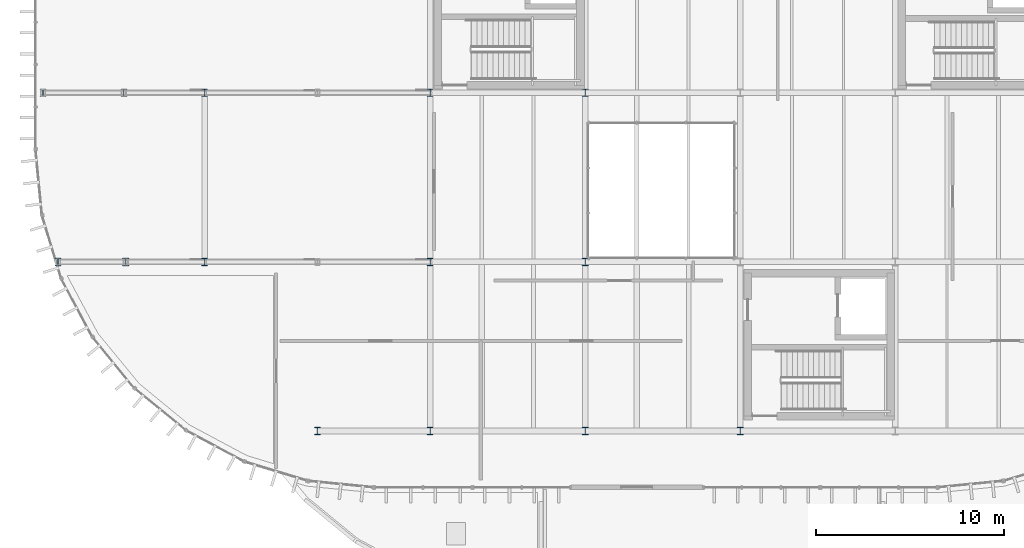
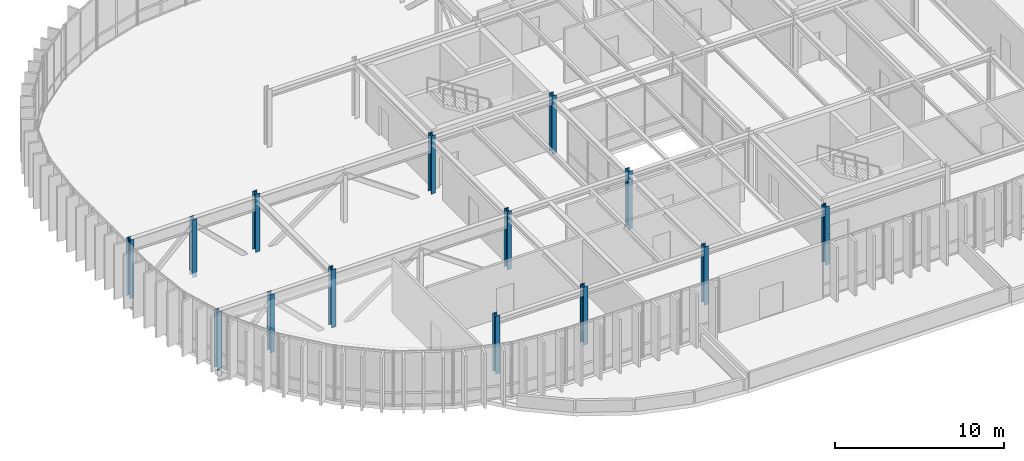
# One storey, part 1 of 29: 14 columns.
"""IFC4 building model written with IfcOpenShell, lengths in metres."""

from ifc_helpers import new_model, si_unit, direction, frame, origin, origin_2d, place, context, subcontext, project, spatial, i_section, extrude, material, material_profile, profile_set, type_object, element, save


model = new_model("IFC4")

# Units and contexts
model_context = context("Model", 3, precision=1e-05, world=origin(), true_north=direction((0.0, 1.0)))
body_context = subcontext(model_context, "Body", "Model", "MODEL_VIEW")
ifc_project = project(units=[si_unit("LENGTHUNIT", "METRE"), si_unit("AREAUNIT", "SQUARE_METRE"), si_unit("VOLUMEUNIT", "CUBIC_METRE"), si_unit("PLANEANGLEUNIT", "RADIAN"), si_unit("MASSUNIT", "GRAM", prefix="KILO")], contexts=[model_context])

# Site, building, storey
site_placement = place(None, origin())
site = spatial("IfcSite", under=ifc_project, at=site_placement, CompositionType="ELEMENT")
building_placement = place(site_placement, origin())
building = spatial("IfcBuilding", under=site, at=building_placement, Name="Montealbar Specialist Clinic", CompositionType="ELEMENT")
storey_placement = place(building_placement, frame((0.0, 0.0, 22.199951171875)))
storey = spatial("IfcBuildingStorey", under=building, at=storey_placement, Name="L05", CompositionType="ELEMENT", Elevation=22.199951171875)

# Columns
ifc_material = material(Name="Steel S355", Category="steel")
ifc_material_profile_1 = material_profile(ifc_material, i_section(OverallWidth=0.300048828125, OverallDepth=0.389892578125, WebThickness=0.010986328125, FlangeThickness=0.01904296875, FilletRadius=0.027099609375, at=origin_2d()), Name="HEA 400", Category="steel")
ifc_profile_set_1 = profile_set([ifc_material_profile_1], Name="Steel S355")
column_type_1 = type_object("IfcColumnType", Name="COL-S-L05-STD", PredefinedType="COLUMN", material=ifc_profile_set_1)
for number, where, z_axis, x_axis, name in (
    (1, (49.699951171875, 27.0, -0.33984375), (0.0, 0.0, 1.0), (1.0, 0.0, 0.0), "Column 6A/D L05"),
    (2, (49.800048828125, 18.0, -0.33984375), (0.0, 0.0, 1.0), (1.0, 0.0, 0.0), "Column 6A/C L05"),
    (3, (54.0, 18.0, 0.0), (0.0, 0.0, 1.0), (1.0, 0.0, 0.0), "Column 7/C L05"),
    (4, (54.0, 27.0, 0.0), (0.0, 0.0, 1.0), (1.0, 0.0, 0.0), "Column 7/D L05"),
    (5, (60.0, 9.0, 0.0), (0.0, 0.0, 1.0), (1.0, 0.0, 0.0), "Column 8/B L05"),
    (6, (66.0, 9.0, 0.0), (0.0, 0.0, 1.0), (1.0, 0.0, 0.0), "Column 9/B L05"),
    (7, (66.0, 18.0, 0.0), (0.0, 0.0, 1.0), (1.0, 0.0, 0.0), "Column 9/C L05"),
    (8, (66.0, 27.0, 0.0), (0.0, 0.0, 1.0), (1.0, 0.0, 0.0), "Column 9/D L05"),
    (9, (74.25, 9.0, 0.0), (0.0, 0.0, 1.0), (1.0, 0.0, 0.0), "Column 10/B L05"),
    (10, (74.25, 27.0, 0.0), (0.0, 0.0, 1.0), (1.0, 0.0, 0.0), "Column 10/D L05"),
    (11, (82.5, 9.0, 0.0), (0.0, 0.0, 1.0), (1.0, 0.0, 0.0), "Column 11/B L05"),
):
    element("IfcColumn", number, at=place(storey_placement, frame(where, z_axis=z_axis, x_axis=x_axis)), inside=storey, type_object=column_type_1, Name=name, PredefinedType="COLUMN", context=body_context, shape_type="SweptSolid", body=[
        extrude(i_section(OverallWidth=0.300048828125, OverallDepth=0.389892578125, WebThickness=0.010986328125, FlangeThickness=0.01904296875, FilletRadius=0.027099609375, at=origin_2d()), origin(), (0.0, 0.0, 1.0), 4.199951171875),
    ])
ifc_material_profile_2 = material_profile(ifc_material, i_section(OverallWidth=0.300048828125, OverallDepth=0.389892578125, WebThickness=0.010986328125, FlangeThickness=0.01904296875, FilletRadius=0.027099609375, at=origin_2d()), Name="HEA 400", Category="steel")
ifc_profile_set_2 = profile_set([ifc_material_profile_2], Name="Steel S355")
column_type_2 = type_object("IfcColumnType", Name="COL-S-L05-STD-EXT", PredefinedType="COLUMN", material=ifc_profile_set_2)
for number, where, z_axis, x_axis, name in (
    (12, (45.39990234375, 27.0, -0.33984375), (0.0, 0.0, 1.0), (1.0, 0.0, 0.0), "Column 6W/D L05"),
    (13, (46.199951171875, 18.0, -0.33984375), (0.0, 0.0, 1.0), (1.0, 0.0, 0.0), "Column 6W/C L05"),
    (14, (74.25, 18.0, 0.0), (0.0, 0.0, 1.0), (1.0, 0.0, 0.0), "Column 10/C L05"),
):
    element("IfcColumn", number, at=place(storey_placement, frame(where, z_axis=z_axis, x_axis=x_axis)), inside=storey, type_object=column_type_2, Name=name, PredefinedType="COLUMN", context=body_context, shape_type="SweptSolid", body=[
        extrude(i_section(OverallWidth=0.300048828125, OverallDepth=0.389892578125, WebThickness=0.010986328125, FlangeThickness=0.01904296875, FilletRadius=0.027099609375, at=origin_2d()), origin(), (0.0, 0.0, 1.0), 4.199951171875),
    ])

save(model, "model.ifc")
